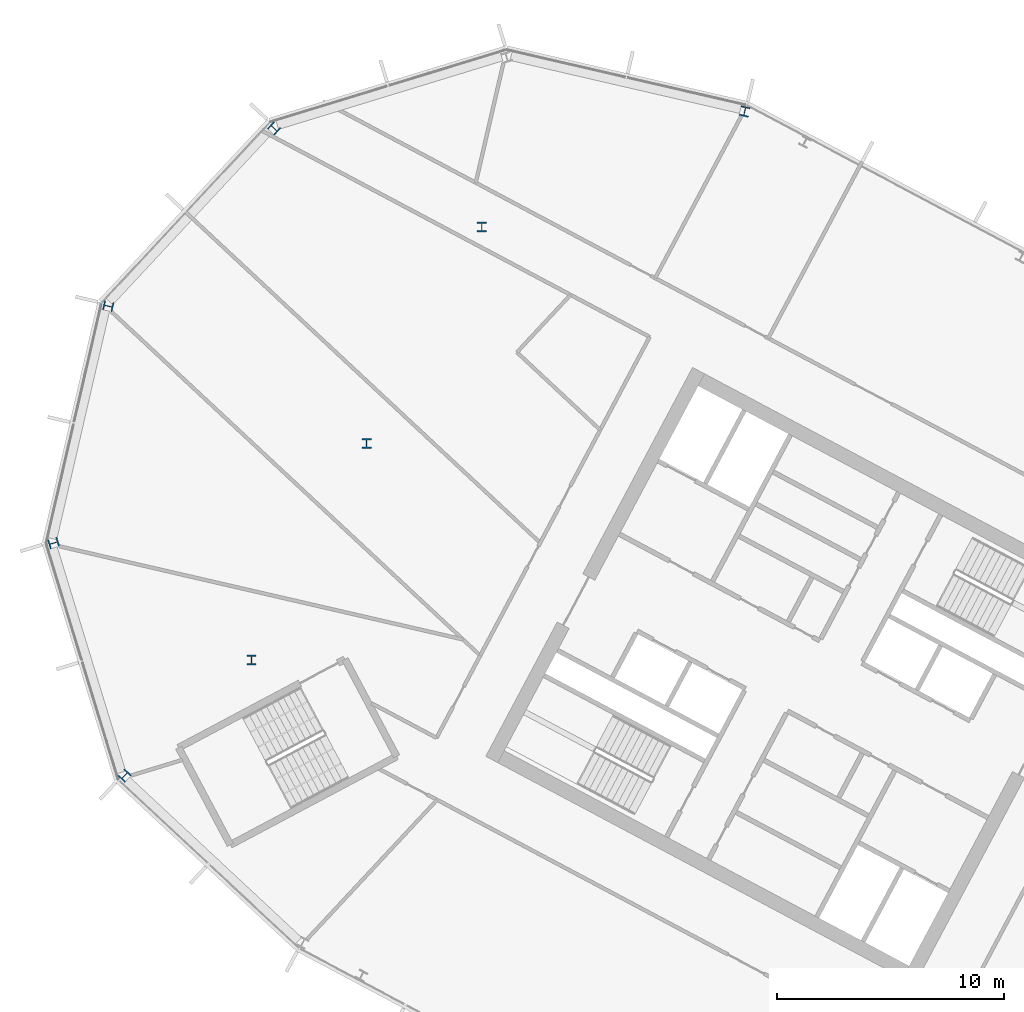
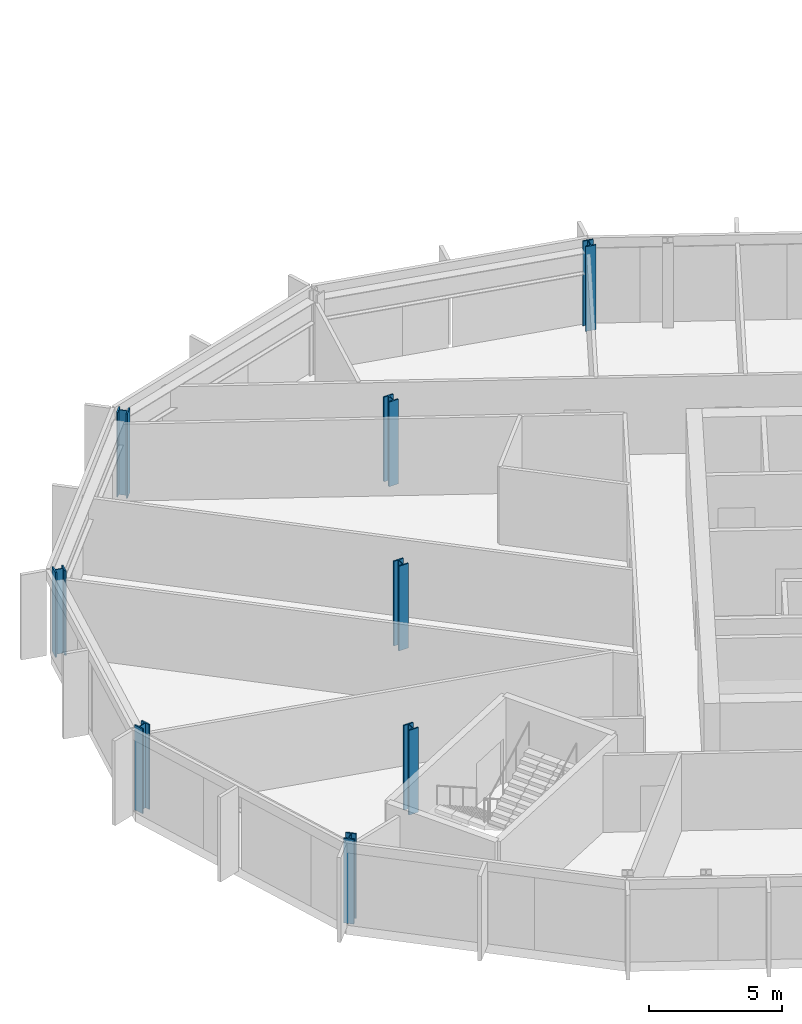
# One storey, part 3 of 31: 8 columns.
"""IFC4 building model written with IfcOpenShell, lengths in metres."""

from ifc_helpers import new_model, si_unit, direction, frame, origin, origin_2d, place, context, subcontext, project, spatial, i_section, extrude, material, material_profile, profile_set, type_object, element, save


model = new_model("IFC4")

# Units and contexts
model_context = context("Model", 3, precision=1e-05, world=origin(), true_north=direction((0.0, 1.0)))
body_context = subcontext(model_context, "Body", "Model", "MODEL_VIEW")
ifc_project = project(units=[si_unit("LENGTHUNIT", "METRE"), si_unit("AREAUNIT", "SQUARE_METRE"), si_unit("VOLUMEUNIT", "CUBIC_METRE"), si_unit("PLANEANGLEUNIT", "RADIAN"), si_unit("MASSUNIT", "GRAM", prefix="KILO")], contexts=[model_context])

# Site, building, storey
site_placement = place(None, origin())
site = spatial("IfcSite", under=ifc_project, at=site_placement, CompositionType="ELEMENT")
building_placement = place(site_placement, origin())
building = spatial("IfcBuilding", under=site, at=building_placement, Name="Cormorant Relay Tower", CompositionType="ELEMENT")
storey_placement = place(building_placement, frame((0.0, 0.0, 189.60009765625)))
storey = spatial("IfcBuildingStorey", under=building, at=storey_placement, Name="L40", CompositionType="ELEMENT", Elevation=189.60009765625)

# Columns
ifc_material = material(Name="Steel ASTM A992 (Fy 345 MPa)", Category="steel")
ifc_material_profile = material_profile(ifc_material, i_section(OverallWidth=0.41162109375, OverallDepth=0.434326171875, WebThickness=0.035888671875, FlangeThickness=0.057373046875, FilletRadius=0.01513671875, at=origin_2d()), Name="W360x463")
ifc_profile_set = profile_set([ifc_material_profile], Name="Steel ASTM A992 (Fy 345 MPa)")
column_type = type_object("IfcColumnType", Name="Column W360x463", PredefinedType="COLUMN", material=ifc_profile_set)
for number, where, z_axis, x_axis, name in (
    (1, (-57.279052734375, 10.162109375, 0.0), (0.0, 0.0, 1.0), (0.731353701619, -0.681998360062, 0.0), "Column L40-022"),
    (2, (-51.68994140625, 15.251953125, 0.0), (0.0, 0.0, 1.0), (1.0, 0.0, 0.0), "Column L40-027"),
    (3, (-60.409912109375, 20.404052734375, 0.0), (0.0, 0.0, 1.0), (0.292371704723, -0.956304755963, 0.0), "Column L40-028"),
    (4, (-46.6201171875, 24.7880859375, 0.0), (0.0, 0.0, 1.0), (1.0, 0.0, 0.0), "Column L40-031"),
    (5, (-58.0009765625, 30.840087890625, 0.0), (0.0, 0.0, 1.0), (-0.224951054344, -0.974370064785, 0.0), "Column L40-034"),
    (6, (-41.549072265625, 34.323974609375, 0.0), (0.0, 0.0, 1.0), (1.0, 0.0, 0.0), "Column L40-038"),
    (7, (-50.697021484375, 38.672119140625, 0.0), (0.0, 0.0, 1.0), (-0.681998360062, -0.731353701619, 0.0), "Column L40-042"),
    (8, (-29.968017578125, 39.4150390625, 0.0), (0.0, 0.0, 1.0), (-0.974370064785, 0.224951054344, 0.0), "Column L40-044"),
):
    element("IfcColumn", number, at=place(storey_placement, frame(where, z_axis=z_axis, x_axis=x_axis)), inside=storey, type_object=column_type, Name=name, PredefinedType="COLUMN", context=body_context, shape_type="SweptSolid", body=[
        extrude(i_section(OverallWidth=0.41162109375, OverallDepth=0.434326171875, WebThickness=0.035888671875, FlangeThickness=0.057373046875, FilletRadius=0.01513671875, at=origin_2d()), origin(), (0.0, 0.0, 1.0), 3.89990234375),
    ])

save(model, "model.ifc")
